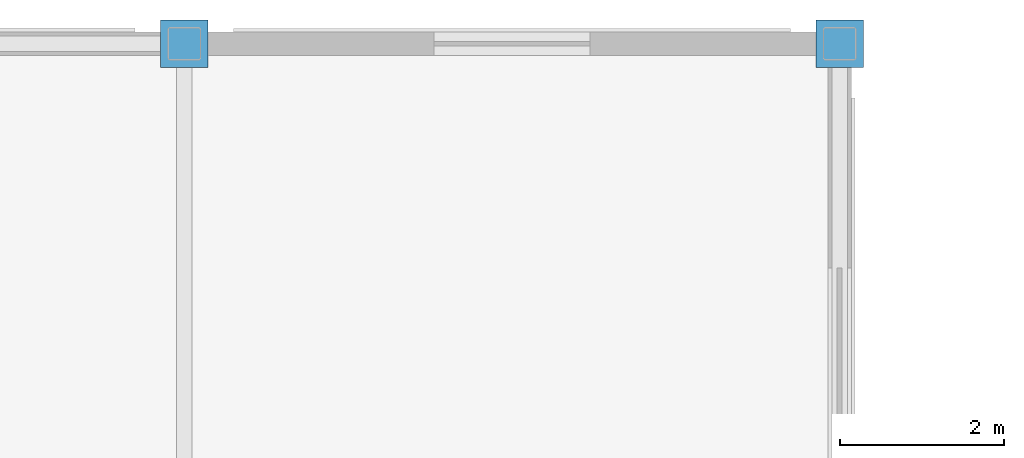
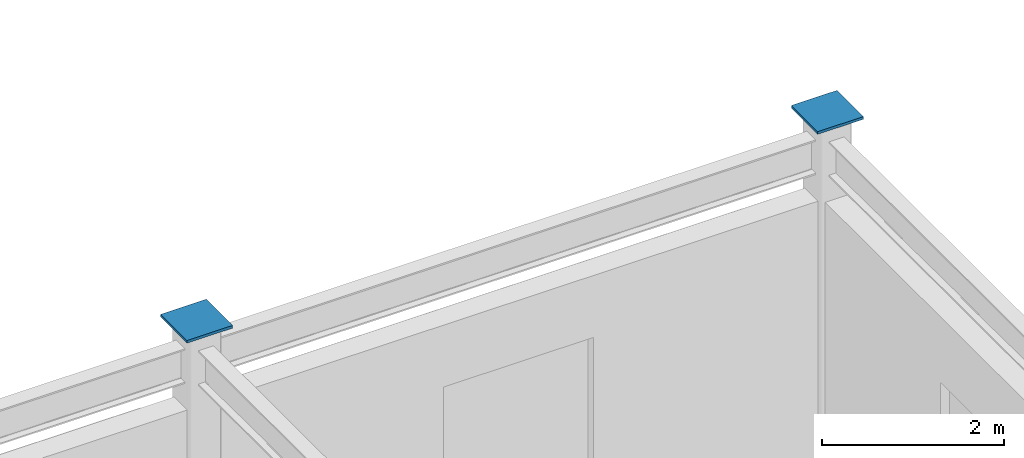
# One storey, part 71 of 78: 2 discrete accessories.
"""IFC4 building model written with IfcOpenShell, lengths in metres."""

from ifc_helpers import new_model, si_unit, direction, frame, origin, origin_2d, place, context, subcontext, project, spatial, rectangle, extrude, material, layer, layer_set, type_object, element, save


model = new_model("IFC4")

# Units and contexts
model_context = context("Model", 3, precision=1e-05, world=origin(), true_north=direction((0.0, 1.0)))
body_context = subcontext(model_context, "Body", "Model", "MODEL_VIEW")
ifc_project = project(units=[si_unit("LENGTHUNIT", "METRE"), si_unit("AREAUNIT", "SQUARE_METRE"), si_unit("VOLUMEUNIT", "CUBIC_METRE"), si_unit("PLANEANGLEUNIT", "RADIAN"), si_unit("MASSUNIT", "GRAM", prefix="KILO")], contexts=[model_context])

# Site, building, storey
site_placement = place(None, origin())
site = spatial("IfcSite", under=ifc_project, at=site_placement, CompositionType="ELEMENT")
building_placement = place(site_placement, origin())
building = spatial("IfcBuilding", under=site, at=building_placement, Name="Solmirada Galleria", CompositionType="ELEMENT")
storey_placement = place(building_placement, frame((0.0, 0.0, 23.89990234375)))
storey = spatial("IfcBuildingStorey", under=building, at=storey_placement, Name="L05", CompositionType="ELEMENT", Elevation=23.89990234375)

# Discrete accessories
ifc_material = material(Name="Steel S355 / ASTM A572 Grade 50", Category="steel")
ifc_layer = layer(ifc_material, 0.031982421875)
ifc_layer_set = layer_set([ifc_layer], Name="Steel S355 / ASTM A572 Grade 50")
discrete_accessory_type = type_object("IfcDiscreteAccessoryType", Name="ACC-COL-CAP", PredefinedType="BRACKET", material=ifc_layer_set)
for number, where, z_axis, x_axis, name in (
    (1, (104.0, 120.0, 4.494140625), (0.0, 0.0, 1.0), (1.0, 0.0, 0.0), "Hollow column cap plate L05-0802"),
    (2, (112.0, 120.0, 4.494140625), (0.0, 0.0, 1.0), (1.0, 0.0, 0.0), "Hollow column cap plate L05-0919"),
):
    element("IfcDiscreteAccessory", number, at=place(storey_placement, frame(where, z_axis=z_axis, x_axis=x_axis)), inside=storey, type_object=discrete_accessory_type, Name=name, PredefinedType="BRACKET", context=body_context, shape_type="SweptSolid", body=[
        extrude(rectangle(XDim=0.580078125, YDim=0.580078125, at=origin_2d()), origin(), (0.0, 0.0, 1.0), 0.035888671875),
    ])

save(model, "model.ifc")
